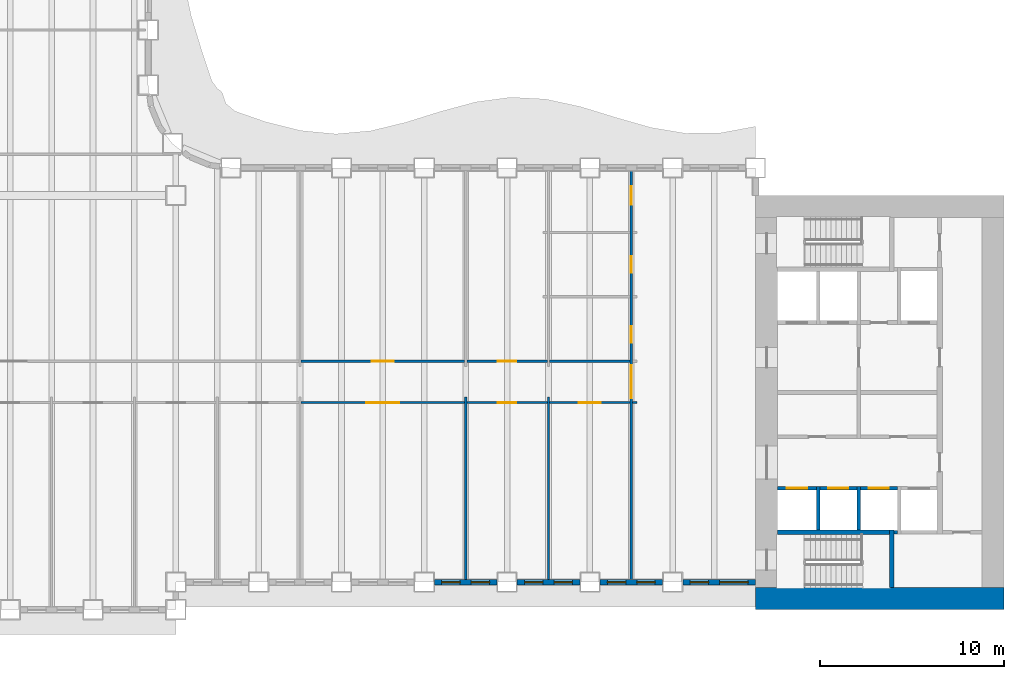
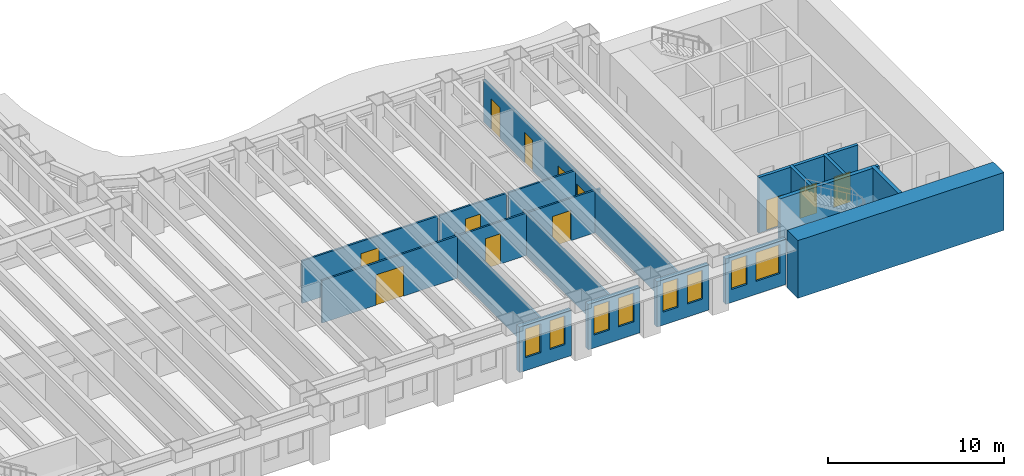
# One storey, part 5 of 15: 23 walls, 12 doors, 8 windows, 20 openings.
"""IFC4 building model written with IfcOpenShell, lengths in metres."""

from ifc_helpers import new_model, si_unit, direction, frame, frame_2d, origin, place, context, subcontext, project, spatial, rectangle, extrude, material, layer, layer_set, type_object, element, fill, save


model = new_model("IFC4")

# Units and contexts
model_context = context("Model", 3, precision=1e-05, world=origin(), true_north=direction((0.0, 1.0)))
body_context = subcontext(model_context, "Body", "Model", "MODEL_VIEW")
ifc_project = project(units=[si_unit("LENGTHUNIT", "METRE"), si_unit("AREAUNIT", "SQUARE_METRE"), si_unit("VOLUMEUNIT", "CUBIC_METRE"), si_unit("PLANEANGLEUNIT", "RADIAN"), si_unit("MASSUNIT", "GRAM", prefix="KILO")], contexts=[model_context])

# Site, building, storey
site_placement = place(None, origin())
site = spatial("IfcSite", under=ifc_project, at=site_placement, CompositionType="ELEMENT")
building_placement = place(site_placement, origin())
building = spatial("IfcBuilding", under=site, at=building_placement, Name="Sennacour Bend Tower", CompositionType="ELEMENT")
storey_placement = place(building_placement, frame((0.0, 0.0, 41.0)))
storey = spatial("IfcBuildingStorey", under=building, at=storey_placement, Name="L08", CompositionType="ELEMENT", Elevation=41.0)

# Walls
ifc_material_1 = material(Name="Concrete C80/95", Category="concrete")
ifc_layer_1 = layer(ifc_material_1, 1.199951171875, Name="Concrete C80/95", Category="concrete")
ifc_layer_set_1 = layer_set([ifc_layer_1], Name="Concrete C80/95")
wall_type_1 = type_object("IfcWallType", Name="Core wall 1200 C80/95", PredefinedType="SHEAR", material=ifc_layer_set_1)
wall_1_placement = place(storey_placement, frame((67.5, 0.60009765625, -0.14990234375), z_axis=(0.0, 0.0, 1.0), x_axis=(-1.0, 0.0, 0.0)))
element("IfcWall", 1, at=wall_1_placement, inside=storey, type_object=wall_type_1, Name="Core A wall L08 S", PredefinedType="SHEAR", context=body_context, shape_type="SweptSolid", body=[
    extrude(rectangle(XDim=13.5, YDim=1.199951171875, at=frame_2d((6.75, 0.0))), origin(), (0.0, 0.0, 1.0), 4.0),
])
ifc_material_2 = material(Name="Plasterboard partition on steel studs", Category="steel")
ifc_layer_2 = layer(ifc_material_2, 0.1201171875, Name="Plasterboard partition on steel studs", Category="steel")
ifc_layer_set_2 = layer_set([ifc_layer_2], Name="Plasterboard partition on steel studs")
wall_type_2 = type_object("IfcWallType", Name="Partition 120", PredefinedType="PARTITIONING", material=ifc_layer_set_2)
for number, where, z_axis, x_axis, name in (
    (2, (38.25, 1.64990234375, 0.0), (0.0, 0.0, 1.0), (0.0, 1.0, 0.0), "P-L08-W028a"),
    (3, (42.75, 1.64990234375, 0.0), (0.0, 0.0, 1.0), (0.0, 1.0, 0.0), "P-L08-W030a"),
):
    element("IfcWall", number, at=place(storey_placement, frame(where, z_axis=z_axis, x_axis=x_axis)), inside=storey, type_object=wall_type_2, Name=name, PredefinedType="PARTITIONING", context=body_context, shape_type="SweptSolid", body=[
        extrude(rectangle(XDim=9.900146484375, YDim=0.1201171875, at=frame_2d((4.9501953125, 0.0))), origin(), (0.0, 0.0, 1.0), 2.93798828125),
    ])

# Wall, opening, door
wall_2_placement = place(storey_placement, frame((29.31005859375, 11.25, 0.0), z_axis=(0.0, 0.0, 1.0), x_axis=(1.0, 0.0, 0.0)))
wall_2 = element("IfcWall", 4, at=wall_2_placement, inside=storey, type_object=wall_type_2, Name="P-L08-W056af", PredefinedType="PARTITIONING", context=body_context, shape_type="SweptSolid", body=[
    extrude(rectangle(XDim=8.8798828125, YDim=0.1201171875, at=frame_2d((4.43994140625, 0.0))), origin(), (0.0, 0.0, 1.0), 2.93798828125),
])
opening_1_placement = place(wall_2_placement, frame((3.539794921875, 0.0, 0.0)))
opening_1 = element("IfcOpeningElement", 5, at=opening_1_placement, cuts=wall_2, Name="Opening OD3", PredefinedType="OPENING", context=body_context, shape_type="SweptSolid", body=[
    extrude(rectangle(XDim=1.800048828125, YDim=2.10009765625, at=frame_2d((0.89990234375, 1.050048828125))), frame((0.0, 0.070068359375, 0.0), z_axis=(0.0, -1.0, 0.0), x_axis=(1.0, 0.0, 0.0)), (0.0, 0.0, 1.0), 0.14013671875),
])
ifc_material_3 = material(Name="Timber", Category="wood")
door_type_1 = type_object("IfcDoorType", Name="DR-OFFICE-1800", OperationType="NOTDEFINED", PredefinedType="DOOR", material=ifc_material_3)
door_1_placement = place(opening_1_placement, origin())
door_1 = element("IfcDoor", 6, at=door_1_placement, inside=storey, type_object=door_type_1, Name="Door", OperationType="DOUBLE_DOOR_SINGLE_SWING", OverallHeight=2.10009765625, OverallWidth=1.800048828125, PredefinedType="DOOR", context=body_context, shape_type="SweptSolid", body=[
    extrude(rectangle(XDim=1.800048828125, YDim=2.10009765625, at=frame_2d((0.89990234375, 1.050048828125))), frame((0.0, 0.02490234375, 0.0), z_axis=(0.0, -1.0, 0.0), x_axis=(1.0, 0.0, 0.0)), (0.0, 0.0, 1.0), 0.050048828125),
])
fill(opening_1, door_1)

wall_3_placement = place(storey_placement, frame((38.31005859375, 11.25, 0.0), z_axis=(0.0, 0.0, 1.0), x_axis=(1.0, 0.0, 0.0)))
wall_3 = element("IfcWall", 7, at=wall_3_placement, inside=storey, type_object=wall_type_2, Name="P-L08-W056ag", PredefinedType="PARTITIONING", context=body_context, shape_type="SweptSolid", body=[
    extrude(rectangle(XDim=4.3798828125, YDim=0.1201171875, at=frame_2d((2.18994140625, 0.0))), origin(), (0.0, 0.0, 1.0), 2.93798828125),
])
opening_2_placement = place(wall_3_placement, frame((1.68994140625, 0.0, 0.0)))
opening_2 = element("IfcOpeningElement", 8, at=opening_2_placement, cuts=wall_3, Name="Opening OD2", PredefinedType="OPENING", context=body_context, shape_type="SweptSolid", body=[
    extrude(rectangle(XDim=1.0, YDim=2.10009765625, at=frame_2d((0.5, 1.050048828125))), frame((0.0, 0.070068359375, 0.0), z_axis=(0.0, -1.0, 0.0), x_axis=(1.0, 0.0, 0.0)), (0.0, 0.0, 1.0), 0.14013671875),
])
door_type_2 = type_object("IfcDoorType", Name="DR-OFFICE-1000", OperationType="NOTDEFINED", PredefinedType="DOOR", material=ifc_material_3)
door_2_placement = place(opening_2_placement, origin())
door_2 = element("IfcDoor", 9, at=door_2_placement, inside=storey, type_object=door_type_2, Name="Door", OperationType="SINGLE_SWING_LEFT", OverallHeight=2.10009765625, OverallWidth=1.0, PredefinedType="DOOR", context=body_context, shape_type="SweptSolid", body=[
    extrude(rectangle(XDim=1.0, YDim=2.10009765625, at=frame_2d((0.5, 1.050048828125))), frame((0.0, 0.02490234375, 0.0), z_axis=(0.0, -1.0, 0.0), x_axis=(1.0, 0.0, 0.0)), (0.0, 0.0, 1.0), 0.050048828125),
])
fill(opening_2, door_2)

wall_4_placement = place(storey_placement, frame((42.81005859375, 11.25, 0.0), z_axis=(0.0, 0.0, 1.0), x_axis=(1.0, 0.0, 0.0)))
wall_4 = element("IfcWall", 10, at=wall_4_placement, inside=storey, type_object=wall_type_2, Name="P-L08-W056ah", PredefinedType="PARTITIONING", context=body_context, shape_type="SweptSolid", body=[
    extrude(rectangle(XDim=4.3798828125, YDim=0.1201171875, at=frame_2d((2.18994140625, 0.0))), origin(), (0.0, 0.0, 1.0), 2.93798828125),
])
opening_3_placement = place(wall_4_placement, frame((1.58984375, 0.0, 0.0)))
opening_3 = element("IfcOpeningElement", 11, at=opening_3_placement, cuts=wall_4, Name="Opening OD", PredefinedType="OPENING", context=body_context, shape_type="SweptSolid", body=[
    extrude(rectangle(XDim=1.199951171875, YDim=2.10009765625, at=frame_2d((0.60009765625, 1.050048828125))), frame((0.0, 0.070068359375, 0.0), z_axis=(0.0, -1.0, 0.0), x_axis=(1.0, 0.0, 0.0)), (0.0, 0.0, 1.0), 0.14013671875),
])
door_type_3 = type_object("IfcDoorType", Name="DR-OFFICE-1200", OperationType="NOTDEFINED", PredefinedType="DOOR", material=ifc_material_3)
door_3_placement = place(opening_3_placement, origin())
door_3 = element("IfcDoor", 12, at=door_3_placement, inside=storey, type_object=door_type_3, Name="Door", OperationType="SINGLE_SWING_LEFT", OverallHeight=2.10009765625, OverallWidth=1.199951171875, PredefinedType="DOOR", context=body_context, shape_type="SweptSolid", body=[
    extrude(rectangle(XDim=1.199951171875, YDim=2.10009765625, at=frame_2d((0.60009765625, 1.050048828125))), frame((0.0, 0.02490234375, 0.0), z_axis=(0.0, -1.0, 0.0), x_axis=(1.0, 0.0, 0.0)), (0.0, 0.0, 1.0), 0.050048828125),
])
fill(opening_3, door_3)

# Wall
wall_5_placement = place(storey_placement, frame((47.31005859375, 11.25, 0.0), z_axis=(0.0, 0.0, 1.0), x_axis=(1.0, 0.0, 0.0)))
element("IfcWall", 13, at=wall_5_placement, inside=storey, type_object=wall_type_2, Name="P-L08-W056ai", PredefinedType="PARTITIONING", context=body_context, shape_type="SweptSolid", body=[
    extrude(rectangle(XDim=0.239990234375, YDim=0.1201171875, at=frame_2d((0.1201171875, 0.0))), origin(), (0.0, 0.0, 1.0), 2.93798828125),
])

# Wall, opening, door
wall_6_placement = place(storey_placement, frame((29.31005859375, 13.5, 0.0), z_axis=(0.0, 0.0, 1.0), x_axis=(1.0, 0.0, 0.0)))
wall_6 = element("IfcWall", 14, at=wall_6_placement, inside=storey, type_object=wall_type_2, Name="P-L08-W058ad", PredefinedType="PARTITIONING", context=body_context, shape_type="SweptSolid", body=[
    extrude(rectangle(XDim=8.8798828125, YDim=0.1201171875, at=frame_2d((4.43994140625, 0.0))), origin(), (0.0, 0.0, 1.0), 2.93798828125),
])
opening_4_placement = place(wall_6_placement, frame((3.83984375, 0.0, 0.0)))
opening_4 = element("IfcOpeningElement", 15, at=opening_4_placement, cuts=wall_6, Name="Opening OD", PredefinedType="OPENING", context=body_context, shape_type="SweptSolid", body=[
    extrude(rectangle(XDim=1.199951171875, YDim=2.10009765625, at=frame_2d((0.60009765625, 1.050048828125))), frame((0.0, 0.070068359375, 0.0), z_axis=(0.0, -1.0, 0.0), x_axis=(1.0, 0.0, 0.0)), (0.0, 0.0, 1.0), 0.14013671875),
])
door_4_placement = place(opening_4_placement, origin())
door_4 = element("IfcDoor", 16, at=door_4_placement, inside=storey, type_object=door_type_3, Name="Door", OperationType="SINGLE_SWING_LEFT", OverallHeight=2.10009765625, OverallWidth=1.199951171875, PredefinedType="DOOR", context=body_context, shape_type="SweptSolid", body=[
    extrude(rectangle(XDim=1.199951171875, YDim=2.10009765625, at=frame_2d((0.60009765625, 1.050048828125))), frame((0.0, 0.02490234375, 0.0), z_axis=(0.0, -1.0, 0.0), x_axis=(1.0, 0.0, 0.0)), (0.0, 0.0, 1.0), 0.050048828125),
])
fill(opening_4, door_4)

wall_7_placement = place(storey_placement, frame((38.31005859375, 13.5, 0.0), z_axis=(0.0, 0.0, 1.0), x_axis=(1.0, 0.0, 0.0)))
wall_7 = element("IfcWall", 17, at=wall_7_placement, inside=storey, type_object=wall_type_2, Name="P-L08-W058ae", PredefinedType="PARTITIONING", context=body_context, shape_type="SweptSolid", body=[
    extrude(rectangle(XDim=4.3798828125, YDim=0.1201171875, at=frame_2d((2.18994140625, 0.0))), origin(), (0.0, 0.0, 1.0), 2.93798828125),
])
opening_5_placement = place(wall_7_placement, frame((1.68994140625, 0.0, 0.0)))
opening_5 = element("IfcOpeningElement", 18, at=opening_5_placement, cuts=wall_7, Name="Opening OD2", PredefinedType="OPENING", context=body_context, shape_type="SweptSolid", body=[
    extrude(rectangle(XDim=1.0, YDim=2.10009765625, at=frame_2d((0.5, 1.050048828125))), frame((0.0, 0.070068359375, 0.0), z_axis=(0.0, -1.0, 0.0), x_axis=(1.0, 0.0, 0.0)), (0.0, 0.0, 1.0), 0.14013671875),
])
door_5_placement = place(opening_5_placement, origin())
door_5 = element("IfcDoor", 19, at=door_5_placement, inside=storey, type_object=door_type_2, Name="Door", OperationType="SINGLE_SWING_LEFT", OverallHeight=2.10009765625, OverallWidth=1.0, PredefinedType="DOOR", context=body_context, shape_type="SweptSolid", body=[
    extrude(rectangle(XDim=1.0, YDim=2.10009765625, at=frame_2d((0.5, 1.050048828125))), frame((0.0, 0.02490234375, 0.0), z_axis=(0.0, -1.0, 0.0), x_axis=(1.0, 0.0, 0.0)), (0.0, 0.0, 1.0), 0.050048828125),
])
fill(opening_5, door_5)

# Wall
wall_8_placement = place(storey_placement, frame((42.81005859375, 13.5, 0.0), z_axis=(0.0, 0.0, 1.0), x_axis=(1.0, 0.0, 0.0)))
element("IfcWall", 20, at=wall_8_placement, inside=storey, type_object=wall_type_2, Name="P-L08-W058af", PredefinedType="PARTITIONING", context=body_context, shape_type="SweptSolid", body=[
    extrude(rectangle(XDim=4.3798828125, YDim=0.1201171875, at=frame_2d((2.18994140625, 0.0))), origin(), (0.0, 0.0, 1.0), 2.93798828125),
])

# Wall, openings, doors
ifc_layer_3 = layer(ifc_material_2, 0.1201171875, Name="Plasterboard partition on steel studs", Category="steel")
ifc_layer_set_3 = layer_set([ifc_layer_3], Name="Plasterboard partition on steel studs")
wall_type_3 = type_object("IfcWallType", Name="Partition 120 EI 30", PredefinedType="PARTITIONING", material=ifc_layer_set_3)
wall_9_placement = place(storey_placement, frame((47.25, 1.64990234375, 0.0), z_axis=(0.0, 0.0, 1.0), x_axis=(0.0, 1.0, 0.0)))
wall_9 = element("IfcWall", 21, at=wall_9_placement, inside=storey, type_object=wall_type_3, Name="P-L08-W032a", PredefinedType="PARTITIONING", context=body_context, shape_type="SweptSolid", body=[
    extrude(rectangle(XDim=22.2001953125, YDim=0.1201171875, at=frame_2d((11.10009765625, 0.0))), origin(), (0.0, 0.0, 1.0), 2.93798828125),
])
opening_6_placement = place(wall_9_placement, frame((9.8251953125, 0.0, 0.0)))
opening_6 = element("IfcOpeningElement", 22, at=opening_6_placement, cuts=wall_9, Name="Opening KD3", PredefinedType="OPENING", context=body_context, shape_type="SweptSolid", body=[
    extrude(rectangle(XDim=1.800048828125, YDim=2.10009765625, at=frame_2d((0.89990234375, 1.050048828125))), frame((0.0, 0.070068359375, 0.0), z_axis=(0.0, -1.0, 0.0), x_axis=(1.0, 0.0, 0.0)), (0.0, 0.0, 1.0), 0.14013671875),
])
opening_7_placement = place(wall_9_placement, frame((12.85009765625, 0.0, 0.0)))
opening_7 = element("IfcOpeningElement", 23, at=opening_7_placement, cuts=wall_9, Name="Opening WD", PredefinedType="OPENING", context=body_context, shape_type="SweptSolid", body=[
    extrude(rectangle(XDim=0.89990234375, YDim=2.10009765625, at=frame_2d((0.449951171875, 1.050048828125))), frame((0.0, 0.070068359375, 0.0), z_axis=(0.0, -1.0, 0.0), x_axis=(1.0, 0.0, 0.0)), (0.0, 0.0, 1.0), 0.14013671875),
])
opening_8_placement = place(wall_9_placement, frame((16.650146484375, 0.0, 0.0)))
opening_8 = element("IfcOpeningElement", 24, at=opening_8_placement, cuts=wall_9, Name="Opening WD", PredefinedType="OPENING", context=body_context, shape_type="SweptSolid", body=[
    extrude(rectangle(XDim=0.89990234375, YDim=2.10009765625, at=frame_2d((0.449951171875, 1.050048828125))), frame((0.0, 0.070068359375, 0.0), z_axis=(0.0, -1.0, 0.0), x_axis=(1.0, 0.0, 0.0)), (0.0, 0.0, 1.0), 0.14013671875),
])
opening_9_placement = place(wall_9_placement, frame((20.35009765625, 0.0, 0.0)))
opening_9 = element("IfcOpeningElement", 25, at=opening_9_placement, cuts=wall_9, Name="Opening AD", PredefinedType="OPENING", context=body_context, shape_type="SweptSolid", body=[
    extrude(rectangle(XDim=1.0, YDim=2.10009765625, at=frame_2d((0.5, 1.050048828125))), frame((0.0, 0.070068359375, 0.0), z_axis=(0.0, -1.0, 0.0), x_axis=(1.0, 0.0, 0.0)), (0.0, 0.0, 1.0), 0.14013671875),
])
door_type_4 = type_object("IfcDoorType", Name="DR-ACC-WC-1000", OperationType="NOTDEFINED", PredefinedType="DOOR", material=ifc_material_3)
door_6_placement = place(opening_9_placement, origin())
door_6 = element("IfcDoor", 26, at=door_6_placement, inside=storey, type_object=door_type_4, Name="Door", OperationType="SINGLE_SWING_RIGHT", OverallHeight=2.10009765625, OverallWidth=1.0, PredefinedType="DOOR", context=body_context, shape_type="SweptSolid", body=[
    extrude(rectangle(XDim=1.0, YDim=2.10009765625, at=frame_2d((0.5, 1.050048828125))), frame((0.0, 0.02490234375, 0.0), z_axis=(0.0, -1.0, 0.0), x_axis=(1.0, 0.0, 0.0)), (0.0, 0.0, 1.0), 0.050048828125),
])
fill(opening_9, door_6)
ifc_material_4 = material(Name="Painted steel", Category="steel")
door_type_5 = type_object("IfcDoorType", Name="DR-CORRIDOR-1800", OperationType="NOTDEFINED", PredefinedType="DOOR", material=ifc_material_4)
door_7_placement = place(opening_6_placement, origin())
door_7 = element("IfcDoor", 27, at=door_7_placement, inside=storey, type_object=door_type_5, Name="Door", OperationType="DOUBLE_DOOR_SINGLE_SWING", OverallHeight=2.10009765625, OverallWidth=1.800048828125, PredefinedType="DOOR", context=body_context, shape_type="SweptSolid", body=[
    extrude(rectangle(XDim=1.800048828125, YDim=2.10009765625, at=frame_2d((0.89990234375, 1.050048828125))), frame((0.0, 0.02490234375, 0.0), z_axis=(0.0, -1.0, 0.0), x_axis=(1.0, 0.0, 0.0)), (0.0, 0.0, 1.0), 0.050048828125),
])
fill(opening_6, door_7)
door_type_6 = type_object("IfcDoorType", Name="DR-WC-900", OperationType="NOTDEFINED", PredefinedType="DOOR", material=ifc_material_3)
door_8_placement = place(opening_7_placement, origin())
door_8 = element("IfcDoor", 28, at=door_8_placement, inside=storey, type_object=door_type_6, Name="Door", OperationType="SINGLE_SWING_RIGHT", OverallHeight=2.10009765625, OverallWidth=0.89990234375, PredefinedType="DOOR", context=body_context, shape_type="SweptSolid", body=[
    extrude(rectangle(XDim=0.89990234375, YDim=2.10009765625, at=frame_2d((0.449951171875, 1.050048828125))), frame((0.0, 0.02490234375, 0.0), z_axis=(0.0, -1.0, 0.0), x_axis=(1.0, 0.0, 0.0)), (0.0, 0.0, 1.0), 0.050048828125),
])
fill(opening_7, door_8)
door_9_placement = place(opening_8_placement, origin())
door_9 = element("IfcDoor", 29, at=door_9_placement, inside=storey, type_object=door_type_6, Name="Door", OperationType="SINGLE_SWING_RIGHT", OverallHeight=2.10009765625, OverallWidth=0.89990234375, PredefinedType="DOOR", context=body_context, shape_type="SweptSolid", body=[
    extrude(rectangle(XDim=0.89990234375, YDim=2.10009765625, at=frame_2d((0.449951171875, 1.050048828125))), frame((0.0, 0.02490234375, 0.0), z_axis=(0.0, -1.0, 0.0), x_axis=(1.0, 0.0, 0.0)), (0.0, 0.0, 1.0), 0.050048828125),
])
fill(opening_8, door_9)

# Wall, openings, windows
ifc_material_5 = material(Name="Warm limestone cladding", Category="masonry")
ifc_layer_4 = layer(ifc_material_5, 0.050048828125, Name="Warm limestone cladding", Category="masonry")
ifc_material_6 = material(Name="Precast concrete C40/50", Category="concrete")
ifc_layer_5 = layer(ifc_material_6, 0.25, Name="Precast concrete C40/50", Category="concrete")
ifc_layer_set_4 = layer_set([ifc_layer_4, ifc_layer_5], Name="Precast concrete C40/50 with limestone cladding")
wall_type_4 = type_object("IfcWallType", Name="STONE-CLAD PRECAST SPANDREL 300", PredefinedType="STANDARD", material=ifc_layer_set_4)
wall_10_placement = place(storey_placement, frame((36.550048828125, 1.5, 0.0), z_axis=(0.0, 0.0, 1.0), x_axis=(1.0, 0.0, 0.0)))
wall_10 = element("IfcWall", 30, at=wall_10_placement, inside=storey, type_object=wall_type_4, Name="Stone spandrel and pier wall L08 02.03", PredefinedType="STANDARD", context=body_context, shape_type="SweptSolid", body=[
    extrude(rectangle(XDim=3.39990234375, YDim=0.300048828125, at=frame_2d((1.699951171875, 0.0))), origin(), (0.0, 0.0, 1.0), 3.14404296875),
])
opening_10_placement = place(wall_10_placement, frame((0.39990234375, 0.0, 0.89990234375)))
opening_10 = element("IfcOpeningElement", 31, at=opening_10_placement, cuts=wall_10, Name="Opening W8", PredefinedType="OPENING", context=body_context, shape_type="SweptSolid", body=[
    extrude(rectangle(XDim=1.0, YDim=2.0, at=frame_2d((0.5, 1.0))), frame((0.0, 0.16015625, 0.0), z_axis=(0.0, -1.0, 0.0), x_axis=(1.0, 0.0, 0.0)), (0.0, 0.0, 1.0), 0.320068359375),
])
opening_11_placement = place(wall_10_placement, frame((2.0, 0.0, 0.89990234375)))
opening_11 = element("IfcOpeningElement", 32, at=opening_11_placement, cuts=wall_10, Name="Opening W8", PredefinedType="OPENING", context=body_context, shape_type="SweptSolid", body=[
    extrude(rectangle(XDim=1.0, YDim=2.0, at=frame_2d((0.5, 1.0))), frame((0.0, 0.16015625, 0.0), z_axis=(0.0, -1.0, 0.0), x_axis=(1.0, 0.0, 0.0)), (0.0, 0.0, 1.0), 0.320068359375),
])
ifc_material_7 = material(Name="Clear low-emissivity glass", Category="glass")
window_type_1 = type_object("IfcWindowType", Name="WIN-RIBBON-1000x2000", PartitioningType="SINGLE_PANEL", PredefinedType="WINDOW", material=ifc_material_7)
window_1_placement = place(opening_10_placement, origin())
window_1 = element("IfcWindow", 33, at=window_1_placement, inside=storey, type_object=window_type_1, Name="Ribbon window L08 02.03.0", OverallHeight=2.0, OverallWidth=1.0, PartitioningType="SINGLE_PANEL", PredefinedType="WINDOW", context=body_context, shape_type="SweptSolid", body=[
    extrude(rectangle(XDim=1.0, YDim=2.0, at=frame_2d((0.5, 1.0))), frame((0.0, 0.030029296875, 0.0), z_axis=(0.0, -1.0, 0.0), x_axis=(1.0, 0.0, 0.0)), (0.0, 0.0, 1.0), 0.06005859375),
])
fill(opening_10, window_1)
window_2_placement = place(opening_11_placement, origin())
window_2 = element("IfcWindow", 34, at=window_2_placement, inside=storey, type_object=window_type_1, Name="Ribbon window L08 02.03.1", OverallHeight=2.0, OverallWidth=1.0, PartitioningType="SINGLE_PANEL", PredefinedType="WINDOW", context=body_context, shape_type="SweptSolid", body=[
    extrude(rectangle(XDim=1.0, YDim=2.0, at=frame_2d((0.5, 1.0))), frame((0.0, 0.030029296875, 0.0), z_axis=(0.0, -1.0, 0.0), x_axis=(1.0, 0.0, 0.0)), (0.0, 0.0, 1.0), 0.06005859375),
])
fill(opening_11, window_2)

wall_11_placement = place(storey_placement, frame((41.050048828125, 1.5, 0.0), z_axis=(0.0, 0.0, 1.0), x_axis=(1.0, 0.0, 0.0)))
wall_11 = element("IfcWall", 35, at=wall_11_placement, inside=storey, type_object=wall_type_4, Name="Stone spandrel and pier wall L08 02.04", PredefinedType="STANDARD", context=body_context, shape_type="SweptSolid", body=[
    extrude(rectangle(XDim=3.39990234375, YDim=0.300048828125, at=frame_2d((1.699951171875, 0.0))), origin(), (0.0, 0.0, 1.0), 3.14404296875),
])
opening_12_placement = place(wall_11_placement, frame((0.39990234375, 0.0, 0.89990234375)))
opening_12 = element("IfcOpeningElement", 36, at=opening_12_placement, cuts=wall_11, Name="Opening W8", PredefinedType="OPENING", context=body_context, shape_type="SweptSolid", body=[
    extrude(rectangle(XDim=1.0, YDim=2.0, at=frame_2d((0.5, 1.0))), frame((0.0, 0.16015625, 0.0), z_axis=(0.0, -1.0, 0.0), x_axis=(1.0, 0.0, 0.0)), (0.0, 0.0, 1.0), 0.320068359375),
])
opening_13_placement = place(wall_11_placement, frame((2.0, 0.0, 0.89990234375)))
opening_13 = element("IfcOpeningElement", 37, at=opening_13_placement, cuts=wall_11, Name="Opening W8", PredefinedType="OPENING", context=body_context, shape_type="SweptSolid", body=[
    extrude(rectangle(XDim=1.0, YDim=2.0, at=frame_2d((0.5, 1.0))), frame((0.0, 0.16015625, 0.0), z_axis=(0.0, -1.0, 0.0), x_axis=(1.0, 0.0, 0.0)), (0.0, 0.0, 1.0), 0.320068359375),
])
window_3_placement = place(opening_12_placement, origin())
window_3 = element("IfcWindow", 38, at=window_3_placement, inside=storey, type_object=window_type_1, Name="Ribbon window L08 02.04.0", OverallHeight=2.0, OverallWidth=1.0, PartitioningType="SINGLE_PANEL", PredefinedType="WINDOW", context=body_context, shape_type="SweptSolid", body=[
    extrude(rectangle(XDim=1.0, YDim=2.0, at=frame_2d((0.5, 1.0))), frame((0.0, 0.030029296875, 0.0), z_axis=(0.0, -1.0, 0.0), x_axis=(1.0, 0.0, 0.0)), (0.0, 0.0, 1.0), 0.06005859375),
])
fill(opening_12, window_3)
window_4_placement = place(opening_13_placement, origin())
window_4 = element("IfcWindow", 39, at=window_4_placement, inside=storey, type_object=window_type_1, Name="Ribbon window L08 02.04.1", OverallHeight=2.0, OverallWidth=1.0, PartitioningType="SINGLE_PANEL", PredefinedType="WINDOW", context=body_context, shape_type="SweptSolid", body=[
    extrude(rectangle(XDim=1.0, YDim=2.0, at=frame_2d((0.5, 1.0))), frame((0.0, 0.030029296875, 0.0), z_axis=(0.0, -1.0, 0.0), x_axis=(1.0, 0.0, 0.0)), (0.0, 0.0, 1.0), 0.06005859375),
])
fill(opening_13, window_4)

wall_12_placement = place(storey_placement, frame((45.550048828125, 1.5, 0.0), z_axis=(0.0, 0.0, 1.0), x_axis=(1.0, 0.0, 0.0)))
wall_12 = element("IfcWall", 40, at=wall_12_placement, inside=storey, type_object=wall_type_4, Name="Stone spandrel and pier wall L08 02.05", PredefinedType="STANDARD", context=body_context, shape_type="SweptSolid", body=[
    extrude(rectangle(XDim=3.39990234375, YDim=0.300048828125, at=frame_2d((1.699951171875, 0.0))), origin(), (0.0, 0.0, 1.0), 3.14404296875),
])
opening_14_placement = place(wall_12_placement, frame((0.39990234375, 0.0, 0.89990234375)))
opening_14 = element("IfcOpeningElement", 41, at=opening_14_placement, cuts=wall_12, Name="Opening W8", PredefinedType="OPENING", context=body_context, shape_type="SweptSolid", body=[
    extrude(rectangle(XDim=1.0, YDim=2.0, at=frame_2d((0.5, 1.0))), frame((0.0, 0.16015625, 0.0), z_axis=(0.0, -1.0, 0.0), x_axis=(1.0, 0.0, 0.0)), (0.0, 0.0, 1.0), 0.320068359375),
])
opening_15_placement = place(wall_12_placement, frame((2.0, 0.0, 0.89990234375)))
opening_15 = element("IfcOpeningElement", 42, at=opening_15_placement, cuts=wall_12, Name="Opening W8", PredefinedType="OPENING", context=body_context, shape_type="SweptSolid", body=[
    extrude(rectangle(XDim=1.0, YDim=2.0, at=frame_2d((0.5, 1.0))), frame((0.0, 0.16015625, 0.0), z_axis=(0.0, -1.0, 0.0), x_axis=(1.0, 0.0, 0.0)), (0.0, 0.0, 1.0), 0.320068359375),
])
window_5_placement = place(opening_14_placement, origin())
window_5 = element("IfcWindow", 43, at=window_5_placement, inside=storey, type_object=window_type_1, Name="Ribbon window L08 02.05.0", OverallHeight=2.0, OverallWidth=1.0, PartitioningType="SINGLE_PANEL", PredefinedType="WINDOW", context=body_context, shape_type="SweptSolid", body=[
    extrude(rectangle(XDim=1.0, YDim=2.0, at=frame_2d((0.5, 1.0))), frame((0.0, 0.030029296875, 0.0), z_axis=(0.0, -1.0, 0.0), x_axis=(1.0, 0.0, 0.0)), (0.0, 0.0, 1.0), 0.06005859375),
])
fill(opening_14, window_5)
window_6_placement = place(opening_15_placement, origin())
window_6 = element("IfcWindow", 44, at=window_6_placement, inside=storey, type_object=window_type_1, Name="Ribbon window L08 02.05.1", OverallHeight=2.0, OverallWidth=1.0, PartitioningType="SINGLE_PANEL", PredefinedType="WINDOW", context=body_context, shape_type="SweptSolid", body=[
    extrude(rectangle(XDim=1.0, YDim=2.0, at=frame_2d((0.5, 1.0))), frame((0.0, 0.030029296875, 0.0), z_axis=(0.0, -1.0, 0.0), x_axis=(1.0, 0.0, 0.0)), (0.0, 0.0, 1.0), 0.06005859375),
])
fill(opening_15, window_6)

wall_13_placement = place(storey_placement, frame((50.050048828125, 1.5, 0.0), z_axis=(0.0, 0.0, 1.0), x_axis=(1.0, 0.0, 0.0)))
wall_13 = element("IfcWall", 45, at=wall_13_placement, inside=storey, type_object=wall_type_4, Name="Stone spandrel and pier wall L08 02.06", PredefinedType="STANDARD", context=body_context, shape_type="SweptSolid", body=[
    extrude(rectangle(XDim=3.949951171875, YDim=0.300048828125, at=frame_2d((1.97509765625, 0.0))), origin(), (0.0, 0.0, 1.0), 3.14404296875),
])
opening_16_placement = place(wall_13_placement, frame((0.39990234375, 0.0, 0.89990234375)))
opening_16 = element("IfcOpeningElement", 46, at=opening_16_placement, cuts=wall_13, Name="Opening W8", PredefinedType="OPENING", context=body_context, shape_type="SweptSolid", body=[
    extrude(rectangle(XDim=1.0, YDim=2.0, at=frame_2d((0.5, 1.0))), frame((0.0, 0.16015625, 0.0), z_axis=(0.0, -1.0, 0.0), x_axis=(1.0, 0.0, 0.0)), (0.0, 0.0, 1.0), 0.320068359375),
])
opening_17_placement = place(wall_13_placement, frame((2.0, 0.0, 0.89990234375)))
opening_17 = element("IfcOpeningElement", 47, at=opening_17_placement, cuts=wall_13, Name="Opening W9", PredefinedType="OPENING", context=body_context, shape_type="SweptSolid", body=[
    extrude(rectangle(XDim=1.550048828125, YDim=2.0, at=frame_2d((0.77490234375, 1.0))), frame((0.0, 0.16015625, 0.0), z_axis=(0.0, -1.0, 0.0), x_axis=(1.0, 0.0, 0.0)), (0.0, 0.0, 1.0), 0.320068359375),
])
window_7_placement = place(opening_16_placement, origin())
window_7 = element("IfcWindow", 48, at=window_7_placement, inside=storey, type_object=window_type_1, Name="Ribbon window L08 02.06.0", OverallHeight=2.0, OverallWidth=1.0, PartitioningType="SINGLE_PANEL", PredefinedType="WINDOW", context=body_context, shape_type="SweptSolid", body=[
    extrude(rectangle(XDim=1.0, YDim=2.0, at=frame_2d((0.5, 1.0))), frame((0.0, 0.030029296875, 0.0), z_axis=(0.0, -1.0, 0.0), x_axis=(1.0, 0.0, 0.0)), (0.0, 0.0, 1.0), 0.06005859375),
])
fill(opening_16, window_7)
window_type_2 = type_object("IfcWindowType", Name="WIN-RIBBON-1550x2000", PartitioningType="SINGLE_PANEL", PredefinedType="WINDOW", material=ifc_material_7)
window_8_placement = place(opening_17_placement, origin())
window_8 = element("IfcWindow", 49, at=window_8_placement, inside=storey, type_object=window_type_2, Name="Ribbon window L08 02.06.1", OverallHeight=2.0, OverallWidth=1.550048828125, PartitioningType="SINGLE_PANEL", PredefinedType="WINDOW", context=body_context, shape_type="SweptSolid", body=[
    extrude(rectangle(XDim=1.550048828125, YDim=2.0, at=frame_2d((0.77490234375, 1.0))), frame((0.0, 0.030029296875, 0.0), z_axis=(0.0, -1.0, 0.0), x_axis=(1.0, 0.0, 0.0)), (0.0, 0.0, 1.0), 0.06005859375),
])
fill(opening_17, window_8)

# Walls
ifc_material_8 = material(Name="Concrete C50/60", Category="concrete")
ifc_layer_6 = layer(ifc_material_8, 0.199951171875, Name="Concrete C50/60", Category="concrete")
ifc_layer_set_5 = layer_set([ifc_layer_6], Name="Concrete C50/60")
wall_type_5 = type_object("IfcWallType", Name="Shaft wall 200", PredefinedType="SOLIDWALL", material=ifc_layer_set_5)
for number, where, z_axis, x_axis, name in (
    (50, (57.39990234375, 4.324951171875, 0.0), (0.0, 0.0, 1.0), (0.0, 1.0, 0.0), "P-L08-W034"),
    (51, (59.60009765625, 4.324951171875, 0.0), (0.0, 0.0, 1.0), (0.0, 1.0, 0.0), "P-L08-W036"),
):
    element("IfcWall", number, at=place(storey_placement, frame(where, z_axis=z_axis, x_axis=x_axis)), inside=storey, type_object=wall_type_5, Name=name, PredefinedType="SOLIDWALL", context=body_context, shape_type="SweptSolid", body=[
        extrude(rectangle(XDim=2.375, YDim=0.199951171875, at=frame_2d((1.1875, 0.0))), origin(), (0.0, 0.0, 1.0), 3.85009765625),
    ])
wall_14_placement = place(storey_placement, frame((61.52490234375, 4.199951171875, 0.0), z_axis=(0.0, 0.0, 1.0), x_axis=(1.0, 0.0, 0.0)))
element("IfcWall", 52, at=wall_14_placement, inside=storey, type_object=wall_type_5, Name="P-L08-W052a", PredefinedType="SOLIDWALL", context=body_context, shape_type="SweptSolid", body=[
    extrude(rectangle(XDim=0.175048828125, YDim=0.199951171875, at=frame_2d((0.08740234375, 0.0))), origin(), (0.0, 0.0, 1.0), 3.85009765625),
])

# Wall, opening, door
wall_15_placement = place(storey_placement, frame((55.199951171875, 6.60009765625, 0.0), z_axis=(0.0, 0.0, 1.0), x_axis=(1.0, 0.0, 0.0)))
wall_15 = element("IfcWall", 53, at=wall_15_placement, inside=storey, type_object=wall_type_5, Name="P-L08-W054a", PredefinedType="SOLIDWALL", context=body_context, shape_type="SweptSolid", body=[
    extrude(rectangle(XDim=2.10009765625, YDim=0.199951171875, at=frame_2d((1.050048828125, 0.0))), origin(), (0.0, 0.0, 1.0), 3.85009765625),
])
opening_18_placement = place(wall_15_placement, frame((0.5, 0.0, 0.011962890625)))
opening_18 = element("IfcOpeningElement", 54, at=opening_18_placement, cuts=wall_15, Name="Opening LD", PredefinedType="OPENING", context=body_context, shape_type="SweptSolid", body=[
    extrude(rectangle(XDim=1.10009765625, YDim=2.10009765625, at=frame_2d((0.550048828125, 1.050048828125))), frame((0.0, 0.10986328125, 0.0), z_axis=(0.0, -1.0, 0.0), x_axis=(1.0, 0.0, 0.0)), (0.0, 0.0, 1.0), 0.219970703125),
])
ifc_material_9 = material(Name="Stainless steel", Category="steel")
door_type_7 = type_object("IfcDoorType", Name="DR-LANDING-1100", OperationType="NOTDEFINED", PredefinedType="DOOR", material=ifc_material_9)
door_10_placement = place(opening_18_placement, origin())
door_10 = element("IfcDoor", 55, at=door_10_placement, inside=storey, type_object=door_type_7, Name="Lift landing door LA1", OperationType="SLIDING_TO_LEFT", OverallHeight=2.10009765625, OverallWidth=1.10009765625, PredefinedType="DOOR", context=body_context, shape_type="SweptSolid", body=[
    extrude(rectangle(XDim=1.10009765625, YDim=2.10009765625, at=frame_2d((0.550048828125, 1.050048828125))), frame((0.0, 0.02490234375, 0.0), z_axis=(0.0, -1.0, 0.0), x_axis=(1.0, 0.0, 0.0)), (0.0, 0.0, 1.0), 0.050048828125),
])
fill(opening_18, door_10)

wall_16_placement = place(storey_placement, frame((57.5, 6.60009765625, 0.0), z_axis=(0.0, 0.0, 1.0), x_axis=(1.0, 0.0, 0.0)))
wall_16 = element("IfcWall", 56, at=wall_16_placement, inside=storey, type_object=wall_type_5, Name="P-L08-W054b", PredefinedType="SOLIDWALL", context=body_context, shape_type="SweptSolid", body=[
    extrude(rectangle(XDim=2.0, YDim=0.199951171875, at=frame_2d((1.0, 0.0))), origin(), (0.0, 0.0, 1.0), 3.85009765625),
])
opening_19_placement = place(wall_16_placement, frame((0.449951171875, 0.0, 0.011962890625)))
opening_19 = element("IfcOpeningElement", 57, at=opening_19_placement, cuts=wall_16, Name="Opening LD", PredefinedType="OPENING", context=body_context, shape_type="SweptSolid", body=[
    extrude(rectangle(XDim=1.10009765625, YDim=2.10009765625, at=frame_2d((0.550048828125, 1.050048828125))), frame((0.0, 0.10986328125, 0.0), z_axis=(0.0, -1.0, 0.0), x_axis=(1.0, 0.0, 0.0)), (0.0, 0.0, 1.0), 0.219970703125),
])
door_11_placement = place(opening_19_placement, origin())
door_11 = element("IfcDoor", 58, at=door_11_placement, inside=storey, type_object=door_type_7, Name="Lift landing door LA2", OperationType="SLIDING_TO_RIGHT", OverallHeight=2.10009765625, OverallWidth=1.10009765625, PredefinedType="DOOR", context=body_context, shape_type="SweptSolid", body=[
    extrude(rectangle(XDim=1.10009765625, YDim=2.10009765625, at=frame_2d((0.550048828125, 1.050048828125))), frame((0.0, 0.02490234375, 0.0), z_axis=(0.0, -1.0, 0.0), x_axis=(1.0, 0.0, 0.0)), (0.0, 0.0, 1.0), 0.050048828125),
])
fill(opening_19, door_11)

wall_17_placement = place(storey_placement, frame((59.699951171875, 6.60009765625, 0.0), z_axis=(0.0, 0.0, 1.0), x_axis=(1.0, 0.0, 0.0)))
wall_17 = element("IfcWall", 59, at=wall_17_placement, inside=storey, type_object=wall_type_5, Name="P-L08-W054c", PredefinedType="SOLIDWALL", context=body_context, shape_type="SweptSolid", body=[
    extrude(rectangle(XDim=2.0, YDim=0.199951171875, at=frame_2d((1.0, 0.0))), origin(), (0.0, 0.0, 1.0), 3.85009765625),
])
opening_20_placement = place(wall_17_placement, frame((0.449951171875, 0.0, 0.011962890625)))
opening_20 = element("IfcOpeningElement", 60, at=opening_20_placement, cuts=wall_17, Name="Opening LD", PredefinedType="OPENING", context=body_context, shape_type="SweptSolid", body=[
    extrude(rectangle(XDim=1.10009765625, YDim=2.10009765625, at=frame_2d((0.550048828125, 1.050048828125))), frame((0.0, 0.10986328125, 0.0), z_axis=(0.0, -1.0, 0.0), x_axis=(1.0, 0.0, 0.0)), (0.0, 0.0, 1.0), 0.219970703125),
])
door_12_placement = place(opening_20_placement, origin())
door_12 = element("IfcDoor", 61, at=door_12_placement, inside=storey, type_object=door_type_7, Name="Lift landing door LA3", OperationType="SLIDING_TO_LEFT", OverallHeight=2.10009765625, OverallWidth=1.10009765625, PredefinedType="DOOR", context=body_context, shape_type="SweptSolid", body=[
    extrude(rectangle(XDim=1.10009765625, YDim=2.10009765625, at=frame_2d((0.550048828125, 1.050048828125))), frame((0.0, 0.02490234375, 0.0), z_axis=(0.0, -1.0, 0.0), x_axis=(1.0, 0.0, 0.0)), (0.0, 0.0, 1.0), 0.050048828125),
])
fill(opening_20, door_12)

# Walls
ifc_material_10 = material(Name="Concrete C60/75", Category="concrete")
ifc_layer_7 = layer(ifc_material_10, 0.25, Name="Concrete C60/75", Category="concrete")
ifc_layer_set_6 = layer_set([ifc_layer_7], Name="Concrete C60/75")
wall_type_6 = type_object("IfcWallType", Name="Stair wall 250", PredefinedType="SHEAR", material=ifc_layer_set_6)
wall_18_placement = place(storey_placement, frame((61.39990234375, 1.199951171875, 0.0), z_axis=(0.0, 0.0, 1.0), x_axis=(0.0, 1.0, 0.0)))
element("IfcWall", 62, at=wall_18_placement, inside=storey, type_object=wall_type_6, Name="P-L08-W039", PredefinedType="SHEAR", context=body_context, shape_type="SweptSolid", body=[
    extrude(rectangle(XDim=3.125, YDim=0.25, at=frame_2d((1.5625, 0.0))), origin(), (0.0, 0.0, 1.0), 3.85009765625),
])
wall_19_placement = place(storey_placement, frame((55.199951171875, 4.199951171875, 0.0), z_axis=(0.0, 0.0, 1.0), x_axis=(1.0, 0.0, 0.0)))
element("IfcWall", 63, at=wall_19_placement, inside=storey, type_object=wall_type_6, Name="P-L08-W051", PredefinedType="SHEAR", context=body_context, shape_type="SweptSolid", body=[
    extrude(rectangle(XDim=6.074951171875, YDim=0.25, at=frame_2d((3.03759765625, 0.0))), origin(), (0.0, 0.0, 1.0), 3.85009765625),
])

save(model, "model.ifc")
